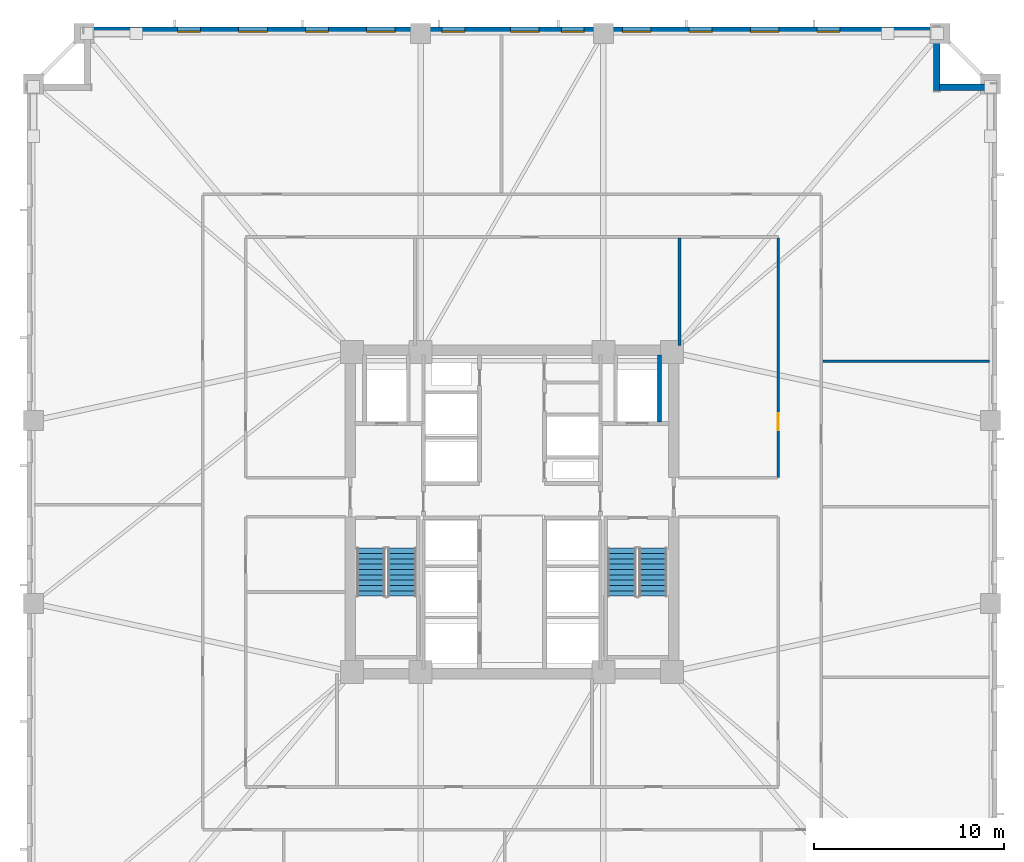
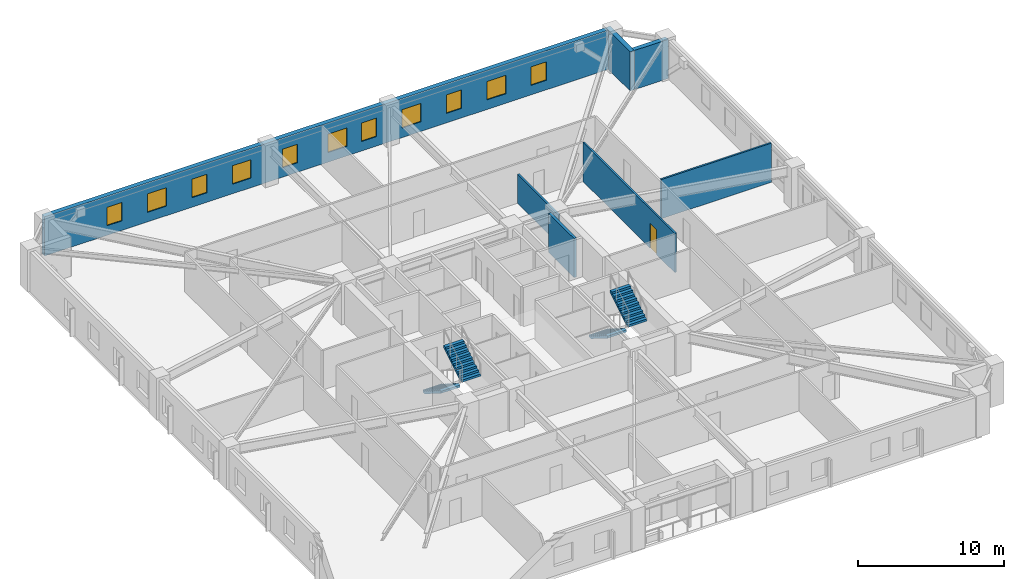
# One storey, part 6 of 11: 11 windows, 7 walls, 4 stair flights, 1 door, 12 openings, 2 elements without a shape of their own.
"""IFC4 building model written with IfcOpenShell, lengths in metres."""

from ifc_helpers import new_model, si_unit, direction, frame, frame_2d, origin, place, context, subcontext, project, spatial, polyline, rectangle, outline, extrude, material, layer, layer_set, type_object, element, fill, aggregate, save


model = new_model("IFC4")

# Units and contexts
model_context = context("Model", 3, precision=1e-05, world=origin(), true_north=direction((0.0, 1.0)))
body_context = subcontext(model_context, "Body", "Model", "MODEL_VIEW")
ifc_project = project(units=[si_unit("LENGTHUNIT", "METRE"), si_unit("AREAUNIT", "SQUARE_METRE"), si_unit("VOLUMEUNIT", "CUBIC_METRE"), si_unit("PLANEANGLEUNIT", "RADIAN"), si_unit("MASSUNIT", "GRAM", prefix="KILO")], contexts=[model_context])

# Site, building, storey
site_placement = place(None, origin())
site = spatial("IfcSite", under=ifc_project, at=site_placement, CompositionType="ELEMENT")
building_placement = place(site_placement, origin())
building = spatial("IfcBuilding", under=site, at=building_placement, Name="Cairnveth Concourse Tower", CompositionType="ELEMENT")
storey_placement = place(building_placement, frame((0.0, 0.0, 34.0)))
storey = spatial("IfcBuildingStorey", under=building, at=storey_placement, Name="L08", CompositionType="ELEMENT", Elevation=34.0)

# Wall
ifc_material_1 = material(Name="Concrete N50 (50 MPa)", Category="concrete")
ifc_layer_1 = layer(ifc_material_1, 0.199951171875)
ifc_layer_set_1 = layer_set([ifc_layer_1], Name="Concrete N50 (50 MPa)")
wall_type_1 = type_object("IfcWallType", Name="FIRE SHAFT WALL 200", PredefinedType="SOLIDWALL", material=ifc_layer_set_1)
wall_1_placement = place(storey_placement, frame((59.75, 43.735107421875, 0.0), z_axis=(0.0, 0.0, 1.0), x_axis=(0.0, 1.0, 0.0)))
element("IfcWall", 1, at=wall_1_placement, inside=storey, type_object=wall_type_1, Name="Interior Wall IW-L08-024", PredefinedType="SOLIDWALL", context=body_context, shape_type="SweptSolid", body=[
    extrude(rectangle(XDim=3.5048828125, YDim=0.199951171875, at=frame_2d((1.75244140625, 0.0))), origin(), (0.0, 0.0, 1.0), 3.280029296875),
])

# Wall, opening, door
ifc_material_2 = material(Name="Gypsum Plasterboard Partition", Category="gypsum")
ifc_layer_2 = layer(ifc_material_2, 0.139892578125)
ifc_layer_set_2 = layer_set([ifc_layer_2], Name="Gypsum Plasterboard Partition")
wall_type_2 = type_object("IfcWallType", Name="GYPSUM STUD PARTITION 140", PredefinedType="PARTITIONING", material=ifc_layer_set_2)
wall_2_placement = place(storey_placement, frame((66.0, 40.800048828125, 0.0), z_axis=(0.0, 0.0, 1.0), x_axis=(0.0, 1.0, 0.0)))
wall_2 = element("IfcWall", 2, at=wall_2_placement, inside=storey, type_object=wall_type_2, Name="Interior Wall IW-L08-049", PredefinedType="PARTITIONING", context=body_context, shape_type="SweptSolid", body=[
    extrude(rectangle(XDim=12.594970703125, YDim=0.139892578125, at=frame_2d((6.29736328125, 0.0))), origin(), (0.0, 0.0, 1.0), 3.280029296875),
])
opening_1_placement = place(wall_2_placement, frame((2.5, 0.0, 0.0)))
opening_1 = element("IfcOpeningElement", 3, at=opening_1_placement, cuts=wall_2, Name="Opening ID18", PredefinedType="OPENING", context=body_context, shape_type="SweptSolid", body=[
    extrude(rectangle(XDim=0.8798828125, YDim=2.10009765625, at=frame_2d((0.43994140625, 1.050048828125))), frame((0.0, 0.079833984375, 0.0), z_axis=(0.0, -1.0, 0.0), x_axis=(1.0, 0.0, 0.0)), (0.0, 0.0, 1.0), 0.159912109375),
])
ifc_material_3 = material(Name="Solid Core Hardwood Timber Leaf", Category="wood")
door_type = type_object("IfcDoorType", Name="INTERIOR SINGLE DOOR 880X2100", OperationType="NOTDEFINED", PredefinedType="DOOR", material=ifc_material_3)
door_placement = place(opening_1_placement, origin())
door = element("IfcDoor", 4, at=door_placement, inside=storey, type_object=door_type, Name="Interior Door DR-L08-024", OperationType="SINGLE_SWING_RIGHT", OverallHeight=2.10009765625, OverallWidth=0.8798828125, PredefinedType="DOOR", context=body_context, shape_type="SweptSolid", body=[
    extrude(rectangle(XDim=0.8798828125, YDim=2.10009765625, at=frame_2d((0.43994140625, 1.050048828125))), frame((0.0, 0.02490234375, 0.0), z_axis=(0.0, -1.0, 0.0), x_axis=(1.0, 0.0, 0.0)), (0.0, 0.0, 1.0), 0.050048828125),
])
fill(opening_1, door)

# Walls
wall_3_placement = place(storey_placement, frame((60.800048828125, 47.760009765625, 0.0), z_axis=(0.0, 0.0, 1.0), x_axis=(0.0, 1.0, 0.0)))
element("IfcWall", 5, at=wall_3_placement, inside=storey, type_object=wall_type_2, Name="Interior Wall IW-L08-055", PredefinedType="PARTITIONING", context=body_context, shape_type="SweptSolid", body=[
    extrude(rectangle(XDim=5.635009765625, YDim=0.139892578125, at=frame_2d((2.8173828125, 0.0))), origin(), (0.0, 0.0, 1.0), 2.43896484375),
])
wall_4_placement = place(storey_placement, frame((68.35009765625, 46.913330078125, 0.0), z_axis=(0.0, 0.0, 1.0), x_axis=(1.0, 0.0, 0.0)))
element("IfcWall", 6, at=wall_4_placement, inside=storey, type_object=wall_type_2, Name="Interior Wall IW-L08-064", PredefinedType="PARTITIONING", context=body_context, shape_type="SweptSolid", body=[
    extrude(rectangle(XDim=8.72998046875, YDim=0.139892578125, at=frame_2d((4.364990234375, 0.0))), origin(), (0.0, 0.0, 1.0), 3.280029296875),
])

# Wall, openings, windows
ifc_material_4 = material(Name="Hawthorn Red-Ochre Fired Clay Brick Masonry", Category="masonry")
ifc_layer_3 = layer(ifc_material_4, 0.360107421875)
ifc_layer_set_3 = layer_set([ifc_layer_3], Name="Hawthorn Red-Ochre Fired Clay Brick Masonry")
wall_type_3 = type_object("IfcWallType", Name="ZONE 1 BRICK PIER SPANDREL WALL 360", PredefinedType="SOLIDWALL", material=ifc_layer_set_3)
wall_5_placement = place(storey_placement, frame((29.5, 64.320068359375, 0.0), z_axis=(0.0, 0.0, 1.0), x_axis=(1.0, 0.0, 0.0)))
wall_5 = element("IfcWall", 7, at=wall_5_placement, inside=storey, type_object=wall_type_3, Name="Exterior Wall EW-L08-S06", PredefinedType="SOLIDWALL", context=body_context, shape_type="SweptSolid", body=[
    extrude(rectangle(XDim=44.662109375, YDim=0.360107421875, at=frame_2d((22.3310546875, 0.0))), origin(), (0.0, 0.0, 1.0), 3.280029296875),
])
opening_2_placement = place(wall_5_placement, frame((4.93017578125, 0.0, 0.800048828125)))
opening_2 = element("IfcOpeningElement", 8, at=opening_2_placement, cuts=wall_5, Name="Opening W01", PredefinedType="OPENING", context=body_context, shape_type="SweptSolid", body=[
    extrude(rectangle(XDim=1.199951171875, YDim=1.5439453125, at=frame_2d((0.60009765625, 0.77197265625))), frame((0.0, 0.18994140625, 0.0), z_axis=(0.0, -1.0, 0.0), x_axis=(1.0, 0.0, 0.0)), (0.0, 0.0, 1.0), 0.380126953125),
])
opening_3_placement = place(wall_5_placement, frame((8.140380859375, 0.0, 0.800048828125)))
opening_3 = element("IfcOpeningElement", 9, at=opening_3_placement, cuts=wall_5, Name="Opening W03", PredefinedType="OPENING", context=body_context, shape_type="SweptSolid", body=[
    extrude(rectangle(XDim=1.5, YDim=1.5439453125, at=frame_2d((0.75, 0.77197265625))), frame((0.0, 0.18994140625, 0.0), z_axis=(0.0, -1.0, 0.0), x_axis=(1.0, 0.0, 0.0)), (0.0, 0.0, 1.0), 0.380126953125),
])
opening_4_placement = place(wall_5_placement, frame((11.650390625, 0.0, 0.800048828125)))
opening_4 = element("IfcOpeningElement", 10, at=opening_4_placement, cuts=wall_5, Name="Opening W01", PredefinedType="OPENING", context=body_context, shape_type="SweptSolid", body=[
    extrude(rectangle(XDim=1.199951171875, YDim=1.5439453125, at=frame_2d((0.60009765625, 0.77197265625))), frame((0.0, 0.18994140625, 0.0), z_axis=(0.0, -1.0, 0.0), x_axis=(1.0, 0.0, 0.0)), (0.0, 0.0, 1.0), 0.380126953125),
])
opening_5_placement = place(wall_5_placement, frame((14.860595703125, 0.0, 0.800048828125)))
opening_5 = element("IfcOpeningElement", 11, at=opening_5_placement, cuts=wall_5, Name="Opening W03", PredefinedType="OPENING", context=body_context, shape_type="SweptSolid", body=[
    extrude(rectangle(XDim=1.5, YDim=1.5439453125, at=frame_2d((0.75, 0.77197265625))), frame((0.0, 0.18994140625, 0.0), z_axis=(0.0, -1.0, 0.0), x_axis=(1.0, 0.0, 0.0)), (0.0, 0.0, 1.0), 0.380126953125),
])
opening_6_placement = place(wall_5_placement, frame((18.82080078125, 0.0, 0.800048828125)))
opening_6 = element("IfcOpeningElement", 12, at=opening_6_placement, cuts=wall_5, Name="Opening W01", PredefinedType="OPENING", context=body_context, shape_type="SweptSolid", body=[
    extrude(rectangle(XDim=1.199951171875, YDim=1.5439453125, at=frame_2d((0.60009765625, 0.77197265625))), frame((0.0, 0.18994140625, 0.0), z_axis=(0.0, -1.0, 0.0), x_axis=(1.0, 0.0, 0.0)), (0.0, 0.0, 1.0), 0.380126953125),
])
opening_7_placement = place(wall_5_placement, frame((22.430908203125, 0.0, 0.800048828125)))
opening_7 = element("IfcOpeningElement", 13, at=opening_7_placement, cuts=wall_5, Name="Opening W03", PredefinedType="OPENING", context=body_context, shape_type="SweptSolid", body=[
    extrude(rectangle(XDim=1.5, YDim=1.5439453125, at=frame_2d((0.75, 0.77197265625))), frame((0.0, 0.18994140625, 0.0), z_axis=(0.0, -1.0, 0.0), x_axis=(1.0, 0.0, 0.0)), (0.0, 0.0, 1.0), 0.380126953125),
])
opening_8_placement = place(wall_5_placement, frame((25.09130859375, 0.0, 0.800048828125)))
opening_8 = element("IfcOpeningElement", 14, at=opening_8_placement, cuts=wall_5, Name="Opening W01", PredefinedType="OPENING", context=body_context, shape_type="SweptSolid", body=[
    extrude(rectangle(XDim=1.199951171875, YDim=1.5439453125, at=frame_2d((0.60009765625, 0.77197265625))), frame((0.0, 0.18994140625, 0.0), z_axis=(0.0, -1.0, 0.0), x_axis=(1.0, 0.0, 0.0)), (0.0, 0.0, 1.0), 0.380126953125),
])
opening_9_placement = place(wall_5_placement, frame((28.301513671875, 0.0, 0.800048828125)))
opening_9 = element("IfcOpeningElement", 15, at=opening_9_placement, cuts=wall_5, Name="Opening W03", PredefinedType="OPENING", context=body_context, shape_type="SweptSolid", body=[
    extrude(rectangle(XDim=1.5, YDim=1.5439453125, at=frame_2d((0.75, 0.77197265625))), frame((0.0, 0.18994140625, 0.0), z_axis=(0.0, -1.0, 0.0), x_axis=(1.0, 0.0, 0.0)), (0.0, 0.0, 1.0), 0.380126953125),
])
opening_10_placement = place(wall_5_placement, frame((31.8115234375, 0.0, 0.800048828125)))
opening_10 = element("IfcOpeningElement", 16, at=opening_10_placement, cuts=wall_5, Name="Opening W01", PredefinedType="OPENING", context=body_context, shape_type="SweptSolid", body=[
    extrude(rectangle(XDim=1.199951171875, YDim=1.5439453125, at=frame_2d((0.60009765625, 0.77197265625))), frame((0.0, 0.18994140625, 0.0), z_axis=(0.0, -1.0, 0.0), x_axis=(1.0, 0.0, 0.0)), (0.0, 0.0, 1.0), 0.380126953125),
])
opening_11_placement = place(wall_5_placement, frame((35.021728515625, 0.0, 0.800048828125)))
opening_11 = element("IfcOpeningElement", 17, at=opening_11_placement, cuts=wall_5, Name="Opening W03", PredefinedType="OPENING", context=body_context, shape_type="SweptSolid", body=[
    extrude(rectangle(XDim=1.5, YDim=1.5439453125, at=frame_2d((0.75, 0.77197265625))), frame((0.0, 0.18994140625, 0.0), z_axis=(0.0, -1.0, 0.0), x_axis=(1.0, 0.0, 0.0)), (0.0, 0.0, 1.0), 0.380126953125),
])
opening_12_placement = place(wall_5_placement, frame((38.531982421875, 0.0, 0.800048828125)))
opening_12 = element("IfcOpeningElement", 18, at=opening_12_placement, cuts=wall_5, Name="Opening W01", PredefinedType="OPENING", context=body_context, shape_type="SweptSolid", body=[
    extrude(rectangle(XDim=1.199951171875, YDim=1.5439453125, at=frame_2d((0.60009765625, 0.77197265625))), frame((0.0, 0.18994140625, 0.0), z_axis=(0.0, -1.0, 0.0), x_axis=(1.0, 0.0, 0.0)), (0.0, 0.0, 1.0), 0.380126953125),
])
ifc_material_5 = material(Name="Double Glazed Low-E Clear Glass", Category="glass")
window_type_1 = type_object("IfcWindowType", Name="DEEP-SET GOTHIC LANCET WINDOW 1200X1800", PartitioningType="DOUBLE_PANEL_VERTICAL", PredefinedType="WINDOW", material=ifc_material_5)
window_1_placement = place(opening_2_placement, origin())
window_1 = element("IfcWindow", 19, at=window_1_placement, inside=storey, type_object=window_type_1, Name="Gothic Lancet Window L08-6-1", OverallHeight=1.5439453125, OverallWidth=1.199951171875, PartitioningType="SINGLE_PANEL", PredefinedType="WINDOW", context=body_context, shape_type="SweptSolid", body=[
    extrude(rectangle(XDim=1.199951171875, YDim=1.5439453125, at=frame_2d((0.60009765625, 0.77197265625))), frame((0.0, -0.050048828125, 0.0), z_axis=(0.0, -1.0, 0.0), x_axis=(1.0, 0.0, 0.0)), (0.0, 0.0, 1.0), 0.06005859375),
])
fill(opening_2, window_1)
window_2_placement = place(opening_4_placement, origin())
window_2 = element("IfcWindow", 20, at=window_2_placement, inside=storey, type_object=window_type_1, Name="Gothic Lancet Window L08-6-3", OverallHeight=1.5439453125, OverallWidth=1.199951171875, PartitioningType="SINGLE_PANEL", PredefinedType="WINDOW", context=body_context, shape_type="SweptSolid", body=[
    extrude(rectangle(XDim=1.199951171875, YDim=1.5439453125, at=frame_2d((0.60009765625, 0.77197265625))), frame((0.0, -0.050048828125, 0.0), z_axis=(0.0, -1.0, 0.0), x_axis=(1.0, 0.0, 0.0)), (0.0, 0.0, 1.0), 0.06005859375),
])
fill(opening_4, window_2)
window_3_placement = place(opening_6_placement, origin())
window_3 = element("IfcWindow", 21, at=window_3_placement, inside=storey, type_object=window_type_1, Name="Gothic Lancet Window L08-6-5", OverallHeight=1.5439453125, OverallWidth=1.199951171875, PartitioningType="SINGLE_PANEL", PredefinedType="WINDOW", context=body_context, shape_type="SweptSolid", body=[
    extrude(rectangle(XDim=1.199951171875, YDim=1.5439453125, at=frame_2d((0.60009765625, 0.77197265625))), frame((0.0, -0.050048828125, 0.0), z_axis=(0.0, -1.0, 0.0), x_axis=(1.0, 0.0, 0.0)), (0.0, 0.0, 1.0), 0.06005859375),
])
fill(opening_6, window_3)
window_4_placement = place(opening_8_placement, origin())
window_4 = element("IfcWindow", 22, at=window_4_placement, inside=storey, type_object=window_type_1, Name="Gothic Lancet Window L08-6-7", OverallHeight=1.5439453125, OverallWidth=1.199951171875, PartitioningType="SINGLE_PANEL", PredefinedType="WINDOW", context=body_context, shape_type="SweptSolid", body=[
    extrude(rectangle(XDim=1.199951171875, YDim=1.5439453125, at=frame_2d((0.60009765625, 0.77197265625))), frame((0.0, -0.050048828125, 0.0), z_axis=(0.0, -1.0, 0.0), x_axis=(1.0, 0.0, 0.0)), (0.0, 0.0, 1.0), 0.06005859375),
])
fill(opening_8, window_4)
window_5_placement = place(opening_10_placement, origin())
window_5 = element("IfcWindow", 23, at=window_5_placement, inside=storey, type_object=window_type_1, Name="Gothic Lancet Window L08-6-9", OverallHeight=1.5439453125, OverallWidth=1.199951171875, PartitioningType="SINGLE_PANEL", PredefinedType="WINDOW", context=body_context, shape_type="SweptSolid", body=[
    extrude(rectangle(XDim=1.199951171875, YDim=1.5439453125, at=frame_2d((0.60009765625, 0.77197265625))), frame((0.0, -0.050048828125, 0.0), z_axis=(0.0, -1.0, 0.0), x_axis=(1.0, 0.0, 0.0)), (0.0, 0.0, 1.0), 0.06005859375),
])
fill(opening_10, window_5)
window_6_placement = place(opening_12_placement, origin())
window_6 = element("IfcWindow", 24, at=window_6_placement, inside=storey, type_object=window_type_1, Name="Gothic Lancet Window L08-6-11", OverallHeight=1.5439453125, OverallWidth=1.199951171875, PartitioningType="SINGLE_PANEL", PredefinedType="WINDOW", context=body_context, shape_type="SweptSolid", body=[
    extrude(rectangle(XDim=1.199951171875, YDim=1.5439453125, at=frame_2d((0.60009765625, 0.77197265625))), frame((0.0, -0.050048828125, 0.0), z_axis=(0.0, -1.0, 0.0), x_axis=(1.0, 0.0, 0.0)), (0.0, 0.0, 1.0), 0.06005859375),
])
fill(opening_12, window_6)
window_type_2 = type_object("IfcWindowType", Name="DEEP-SET GOTHIC LANCET WINDOW 1500X1800", PartitioningType="DOUBLE_PANEL_VERTICAL", PredefinedType="WINDOW", material=ifc_material_5)
window_7_placement = place(opening_3_placement, origin())
window_7 = element("IfcWindow", 25, at=window_7_placement, inside=storey, type_object=window_type_2, Name="Gothic Lancet Window L08-6-2", OverallHeight=1.5439453125, OverallWidth=1.5, PartitioningType="SINGLE_PANEL", PredefinedType="WINDOW", context=body_context, shape_type="SweptSolid", body=[
    extrude(rectangle(XDim=1.5, YDim=1.5439453125, at=frame_2d((0.75, 0.77197265625))), frame((0.0, -0.050048828125, 0.0), z_axis=(0.0, -1.0, 0.0), x_axis=(1.0, 0.0, 0.0)), (0.0, 0.0, 1.0), 0.06005859375),
])
fill(opening_3, window_7)
window_8_placement = place(opening_5_placement, origin())
window_8 = element("IfcWindow", 26, at=window_8_placement, inside=storey, type_object=window_type_2, Name="Gothic Lancet Window L08-6-4", OverallHeight=1.5439453125, OverallWidth=1.5, PartitioningType="SINGLE_PANEL", PredefinedType="WINDOW", context=body_context, shape_type="SweptSolid", body=[
    extrude(rectangle(XDim=1.5, YDim=1.5439453125, at=frame_2d((0.75, 0.77197265625))), frame((0.0, -0.050048828125, 0.0), z_axis=(0.0, -1.0, 0.0), x_axis=(1.0, 0.0, 0.0)), (0.0, 0.0, 1.0), 0.06005859375),
])
fill(opening_5, window_8)
window_9_placement = place(opening_7_placement, origin())
window_9 = element("IfcWindow", 27, at=window_9_placement, inside=storey, type_object=window_type_2, Name="Gothic Lancet Window L08-6-6", OverallHeight=1.5439453125, OverallWidth=1.5, PartitioningType="SINGLE_PANEL", PredefinedType="WINDOW", context=body_context, shape_type="SweptSolid", body=[
    extrude(rectangle(XDim=1.5, YDim=1.5439453125, at=frame_2d((0.75, 0.77197265625))), frame((0.0, -0.050048828125, 0.0), z_axis=(0.0, -1.0, 0.0), x_axis=(1.0, 0.0, 0.0)), (0.0, 0.0, 1.0), 0.06005859375),
])
fill(opening_7, window_9)
window_10_placement = place(opening_9_placement, origin())
window_10 = element("IfcWindow", 28, at=window_10_placement, inside=storey, type_object=window_type_2, Name="Gothic Lancet Window L08-6-8", OverallHeight=1.5439453125, OverallWidth=1.5, PartitioningType="SINGLE_PANEL", PredefinedType="WINDOW", context=body_context, shape_type="SweptSolid", body=[
    extrude(rectangle(XDim=1.5, YDim=1.5439453125, at=frame_2d((0.75, 0.77197265625))), frame((0.0, -0.050048828125, 0.0), z_axis=(0.0, -1.0, 0.0), x_axis=(1.0, 0.0, 0.0)), (0.0, 0.0, 1.0), 0.06005859375),
])
fill(opening_9, window_10)
window_11_placement = place(opening_11_placement, origin())
window_11 = element("IfcWindow", 29, at=window_11_placement, inside=storey, type_object=window_type_2, Name="Gothic Lancet Window L08-6-10", OverallHeight=1.5439453125, OverallWidth=1.5, PartitioningType="SINGLE_PANEL", PredefinedType="WINDOW", context=body_context, shape_type="SweptSolid", body=[
    extrude(rectangle(XDim=1.5, YDim=1.5439453125, at=frame_2d((0.75, 0.77197265625))), frame((0.0, -0.050048828125, 0.0), z_axis=(0.0, -1.0, 0.0), x_axis=(1.0, 0.0, 0.0)), (0.0, 0.0, 1.0), 0.06005859375),
])
fill(opening_11, window_11)

# Walls
wall_6_placement = place(storey_placement, frame((74.320068359375, 64.5, 0.0), z_axis=(0.0, 0.0, 1.0), x_axis=(0.0, -1.0, 0.0)))
element("IfcWall", 30, at=wall_6_placement, inside=storey, type_object=wall_type_3, Name="Exterior Wall EW-L08-S07", PredefinedType="SOLIDWALL", context=body_context, shape_type="SweptSolid", body=[
    extrude(rectangle(XDim=3.360107421875, YDim=0.360107421875, at=frame_2d((1.68017578125, 0.0))), origin(), (0.0, 0.0, 1.0), 3.280029296875),
])
wall_7_placement = place(storey_placement, frame((74.47802734375, 61.320068359375, 0.0), z_axis=(0.0, 0.0, 1.0), x_axis=(1.0, 0.0, 0.0)))
element("IfcWall", 31, at=wall_7_placement, inside=storey, type_object=wall_type_3, Name="Exterior Wall EW-L08-S08", PredefinedType="SOLIDWALL", context=body_context, shape_type="SweptSolid", body=[
    extrude(rectangle(XDim=2.68408203125, YDim=0.360107421875, at=frame_2d((1.342041015625, 0.0))), origin(), (0.0, 0.0, 1.0), 3.280029296875),
])

# Stair, stair flights
ifc_material_6 = material(Name="Precast concrete N50 (50 MPa)", Category="concrete")
stair_type = type_object("IfcStairType", Name="CORE DOG-LEG FIRE STAIR 1500", PredefinedType="HALF_TURN_STAIR", material=ifc_material_6)
stair_1_placement = place(storey_placement, origin())
stair_1 = element("IfcStair", 32, at=stair_1_placement, inside=storey, type_object=stair_type, Name="L08 Fire-Isolated Stair ST-1", PredefinedType="HALF_TURN_STAIR")
stair_flight_type = type_object("IfcStairFlightType", Name="PRECAST CONCRETE STAIR FLIGHT 1500", PredefinedType="STRAIGHT", material=ifc_material_6)
stair_flight_1_placement = place(storey_placement, frame((44.590087890625, 37.10009765625, 0.0), z_axis=(0.0, 0.0, 1.0), x_axis=(0.0, -1.0, 0.0)))
stair_flight_1 = element("IfcStairFlight", 33, at=stair_flight_1_placement, type_object=stair_flight_type, Name="ST-1 flight 1", NumberOfRisers=10, NumberOfTreads=9, PredefinedType="STRAIGHT", RiserHeight=0.175, TreadLength=0.28, context=body_context, shape_type="SweptSolid", body=[
    extrude(outline(polyline([(0.0, 0.0), (0.0, 0.175048828125), (0.280029296875, 0.175048828125), (0.280029296875, 0.35009765625), (0.56005859375, 0.35009765625), (0.56005859375, 0.52490234375), (0.840087890625, 0.52490234375), (0.840087890625, 0.699951171875), (1.1201171875, 0.699951171875), (1.1201171875, 0.875), (1.39990234375, 0.875), (1.39990234375, 1.050048828125), (1.679931640625, 1.050048828125), (1.679931640625, 1.22509765625), (1.9599609375, 1.22509765625), (1.9599609375, 1.39990234375), (2.239990234375, 1.39990234375), (2.239990234375, 1.574951171875), (2.52001953125, 1.574951171875), (2.52001953125, 1.75), (2.52001953125, 1.398193359375), (0.28271484375, 0.0), (0.0, 0.0)])), frame((0.0, 0.75, 0.0), z_axis=(0.0, -1.0, 0.0), x_axis=(1.0, 0.0, 0.0)), (0.0, 0.0, 1.0), 1.5),
])
stair_flight_2_placement = place(storey_placement, frame((46.22998046875, 34.580078125, 1.75), z_axis=(0.0, 0.0, 1.0), x_axis=(0.0, 1.0, 0.0)))
stair_flight_2 = element("IfcStairFlight", 34, at=stair_flight_2_placement, type_object=stair_flight_type, Name="ST-1 flight 2", NumberOfRisers=10, NumberOfTreads=9, PredefinedType="STRAIGHT", RiserHeight=0.175, TreadLength=0.28, context=body_context, shape_type="SweptSolid", body=[
    extrude(outline(polyline([(0.0, 0.0), (0.0, 0.175048828125), (0.280029296875, 0.175048828125), (0.280029296875, 0.35009765625), (0.56005859375, 0.35009765625), (0.56005859375, 0.52490234375), (0.840087890625, 0.52490234375), (0.840087890625, 0.699951171875), (1.1201171875, 0.699951171875), (1.1201171875, 0.875), (1.39990234375, 0.875), (1.39990234375, 1.050048828125), (1.679931640625, 1.050048828125), (1.679931640625, 1.22509765625), (1.9599609375, 1.22509765625), (1.9599609375, 1.39990234375), (2.239990234375, 1.39990234375), (2.239990234375, 1.574951171875), (2.52001953125, 1.574951171875), (2.52001953125, 1.75), (2.52001953125, 1.398193359375), (0.28271484375, 0.0), (0.0, 0.0)])), frame((0.0, 0.75, 0.0), z_axis=(0.0, -1.0, 0.0), x_axis=(1.0, 0.0, 0.0)), (0.0, 0.0, 1.0), 1.5),
])
aggregate(stair_1, [stair_flight_1, stair_flight_2])

stair_2_placement = place(storey_placement, origin())
stair_2 = element("IfcStair", 35, at=stair_2_placement, inside=storey, type_object=stair_type, Name="L08 Fire-Isolated Stair ST-2", PredefinedType="HALF_TURN_STAIR")
stair_flight_3_placement = place(storey_placement, frame((57.77001953125, 37.10009765625, 0.0), z_axis=(0.0, 0.0, 1.0), x_axis=(0.0, -1.0, 0.0)))
stair_flight_3 = element("IfcStairFlight", 36, at=stair_flight_3_placement, type_object=stair_flight_type, Name="ST-2 flight 1", NumberOfRisers=10, NumberOfTreads=9, PredefinedType="STRAIGHT", RiserHeight=0.175, TreadLength=0.28, context=body_context, shape_type="SweptSolid", body=[
    extrude(outline(polyline([(0.0, 0.0), (0.0, 0.175048828125), (0.280029296875, 0.175048828125), (0.280029296875, 0.35009765625), (0.56005859375, 0.35009765625), (0.56005859375, 0.52490234375), (0.840087890625, 0.52490234375), (0.840087890625, 0.699951171875), (1.1201171875, 0.699951171875), (1.1201171875, 0.875), (1.39990234375, 0.875), (1.39990234375, 1.050048828125), (1.679931640625, 1.050048828125), (1.679931640625, 1.22509765625), (1.9599609375, 1.22509765625), (1.9599609375, 1.39990234375), (2.239990234375, 1.39990234375), (2.239990234375, 1.574951171875), (2.52001953125, 1.574951171875), (2.52001953125, 1.75), (2.52001953125, 1.398193359375), (0.28271484375, 0.0), (0.0, 0.0)])), frame((0.0, 0.75, 0.0), z_axis=(0.0, -1.0, 0.0), x_axis=(1.0, 0.0, 0.0)), (0.0, 0.0, 1.0), 1.5),
])
stair_flight_4_placement = place(storey_placement, frame((59.409912109375, 34.580078125, 1.75), z_axis=(0.0, 0.0, 1.0), x_axis=(0.0, 1.0, 0.0)))
stair_flight_4 = element("IfcStairFlight", 37, at=stair_flight_4_placement, type_object=stair_flight_type, Name="ST-2 flight 2", NumberOfRisers=10, NumberOfTreads=9, PredefinedType="STRAIGHT", RiserHeight=0.175, TreadLength=0.28, context=body_context, shape_type="SweptSolid", body=[
    extrude(outline(polyline([(0.0, 0.0), (0.0, 0.175048828125), (0.280029296875, 0.175048828125), (0.280029296875, 0.35009765625), (0.56005859375, 0.35009765625), (0.56005859375, 0.52490234375), (0.840087890625, 0.52490234375), (0.840087890625, 0.699951171875), (1.1201171875, 0.699951171875), (1.1201171875, 0.875), (1.39990234375, 0.875), (1.39990234375, 1.050048828125), (1.679931640625, 1.050048828125), (1.679931640625, 1.22509765625), (1.9599609375, 1.22509765625), (1.9599609375, 1.39990234375), (2.239990234375, 1.39990234375), (2.239990234375, 1.574951171875), (2.52001953125, 1.574951171875), (2.52001953125, 1.75), (2.52001953125, 1.398193359375), (0.28271484375, 0.0), (0.0, 0.0)])), frame((0.0, 0.75, 0.0), z_axis=(0.0, -1.0, 0.0), x_axis=(1.0, 0.0, 0.0)), (0.0, 0.0, 1.0), 1.5),
])
aggregate(stair_2, [stair_flight_3, stair_flight_4])

save(model, "model.ifc")
